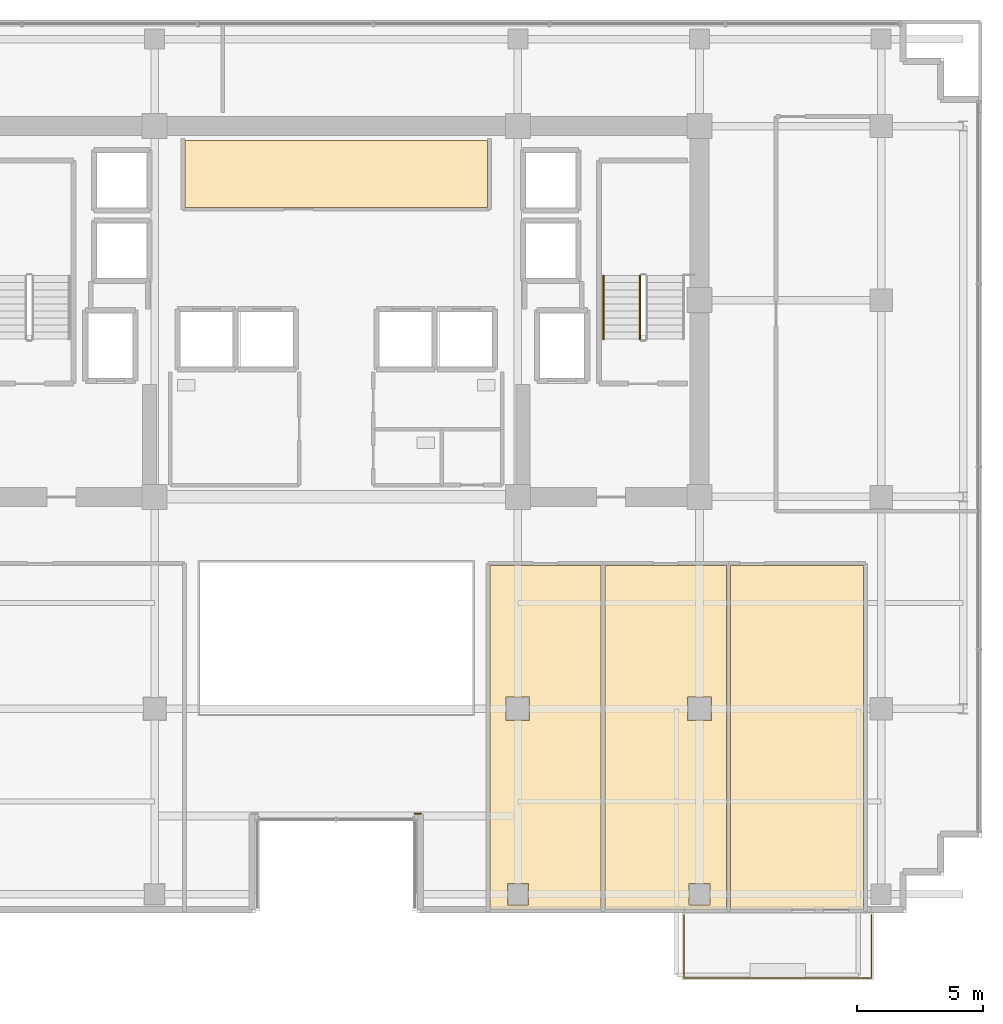
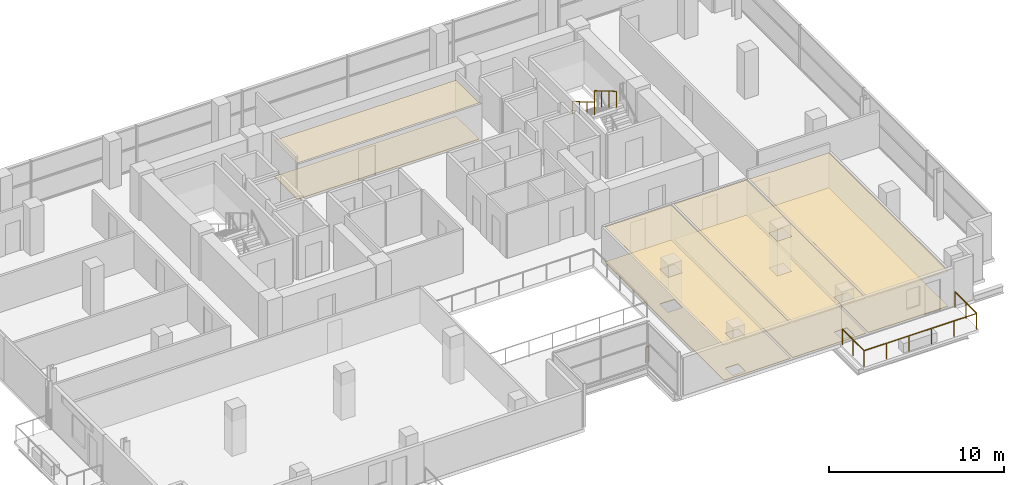
# One storey, part 26 of 28: 8 coverings, 4 railings.
"""IFC4 building model written with IfcOpenShell, lengths in metres."""

from ifc_helpers import new_model, si_unit, direction, frame, origin, origin_2d, place, context, subcontext, project, spatial, polyline, rectangle, outline, extrude, material, layer, layer_set, type_object, element, save


model = new_model("IFC4")

# Units and contexts
model_context = context("Model", 3, precision=1e-05, world=origin(), true_north=direction((0.0, 1.0)))
body_context = subcontext(model_context, "Body", "Model", "MODEL_VIEW")
ifc_project = project(units=[si_unit("LENGTHUNIT", "METRE"), si_unit("AREAUNIT", "SQUARE_METRE"), si_unit("VOLUMEUNIT", "CUBIC_METRE"), si_unit("PLANEANGLEUNIT", "RADIAN"), si_unit("MASSUNIT", "GRAM", prefix="KILO")], contexts=[model_context])

# Site, building, storey
site_placement = place(None, origin())
site = spatial("IfcSite", under=ifc_project, at=site_placement, CompositionType="ELEMENT")
building_placement = place(site_placement, origin())
building = spatial("IfcBuilding", under=site, at=building_placement, Name="Zarnakvel Exchange Tower", CompositionType="ELEMENT")
storey_placement = place(building_placement, frame((0.0, 0.0, 109.89990234375)))
storey = spatial("IfcBuildingStorey", under=building, at=storey_placement, Name="L30", CompositionType="ELEMENT", Elevation=109.89990234375)

# Coverings
ifc_material_1 = material(Name="Perforated Bronze Acoustic Metal Ceiling", Category="aluminium")
ifc_layer_1 = layer(ifc_material_1, 0.02001953125)
ifc_layer_set_1 = layer_set([ifc_layer_1], Name="Perforated Bronze Acoustic Metal Ceiling")
covering_type_1 = type_object("IfcCoveringType", Name="CLG-01", PredefinedType="CEILING", material=ifc_layer_set_1)
covering_1_placement = place(storey_placement, frame((0.0, 0.0, 2.530029296875)))
element("IfcCovering", 1, at=covering_1_placement, inside=storey, type_object=covering_type_1, Name="L30 Suspended Acoustic Ceiling (Market Data Archive Suite)", PredefinedType="CEILING", context=body_context, shape_type="SweptSolid", body=[
    extrude(outline(polyline([(-6.0, 12.919921875), (6.0, 12.919921875), (6.0, 10.280029296875), (-6.0, 10.280029296875), (-6.0, 12.919921875)])), origin(), (0.0, 0.0, 1.0), 0.02001953125),
])
covering_2_placement = place(storey_placement, frame((0.0, 0.0, 2.455078125)))
element("IfcCovering", 2, at=covering_2_placement, inside=storey, type_object=covering_type_1, Name="L30 Suspended Acoustic Ceiling (Conference Room)", PredefinedType="CEILING", context=body_context, shape_type="SweptSolid", body=[
    extrude(outline(polyline([(6.10009765625, -3.909912109375), (10.48828125, -3.909912109375), (10.48828125, -17.550048828125), (6.10009765625, -17.550048828125), (6.10009765625, -3.909912109375)]), holes=[polyline([(6.72998046875, -10.070068359375), (7.669921875, -10.070068359375), (7.669921875, -9.1298828125), (6.72998046875, -9.1298828125), (6.72998046875, -10.070068359375)]), polyline([(7.6201171875, -17.3701171875), (7.6201171875, -16.530029296875), (6.780029296875, -16.530029296875), (6.780029296875, -17.3701171875), (7.6201171875, -17.3701171875)])]), origin(), (0.0, 0.0, 1.0), 0.02001953125),
])
covering_3_placement = place(storey_placement, frame((0.0, 0.0, 2.455078125)))
element("IfcCovering", 3, at=covering_3_placement, inside=storey, type_object=covering_type_1, Name="L30 Suspended Acoustic Ceiling (Executive Suite)", PredefinedType="CEILING", context=body_context, shape_type="SweptSolid", body=[
    extrude(outline(polyline([(10.6484375, -3.909912109375), (15.4755859375, -3.909912109375), (15.4755859375, -17.550048828125), (10.6484375, -17.550048828125), (10.6484375, -3.909912109375)]), holes=[polyline([(13.929931640625, -10.070068359375), (14.8701171875, -10.070068359375), (14.8701171875, -9.1298828125), (13.929931640625, -9.1298828125), (13.929931640625, -10.070068359375)]), polyline([(14.820068359375, -17.3701171875), (14.820068359375, -16.530029296875), (13.97998046875, -16.530029296875), (13.97998046875, -17.3701171875), (14.820068359375, -17.3701171875)])]), origin(), (0.0, 0.0, 1.0), 0.02001953125),
])
covering_4_placement = place(storey_placement, frame((0.0, 0.0, 2.455078125)))
element("IfcCovering", 4, at=covering_4_placement, inside=storey, type_object=covering_type_1, Name="L30 Suspended Acoustic Ceiling (Staff Pantry)", PredefinedType="CEILING", context=body_context, shape_type="SweptSolid", body=[
    extrude(outline(polyline([(15.635498046875, -3.909912109375), (20.901611328125, -3.909912109375), (20.901611328125, -17.550048828125), (15.635498046875, -17.550048828125), (15.635498046875, -3.909912109375)])), origin(), (0.0, 0.0, 1.0), 0.02001953125),
])
ifc_material_2 = material(Name="Heavy-Duty Raised Access Floor Panel", Category="steel")
ifc_layer_2 = layer(ifc_material_2, 0.034912109375)
ifc_layer_set_2 = layer_set([ifc_layer_2], Name="Heavy-Duty Raised Access Floor Panel")
covering_type_2 = type_object("IfcCoveringType", Name="FLR-02", PredefinedType="FLOORING", material=ifc_layer_set_2)
covering_5_placement = place(storey_placement, origin())
element("IfcCovering", 5, at=covering_5_placement, inside=storey, type_object=covering_type_2, Name="L30 Floor Finish (Market Data Archive Suite)", PredefinedType="FLOORING", context=body_context, shape_type="SweptSolid", body=[
    extrude(outline(polyline([(-6.0, 12.919921875), (6.0, 12.919921875), (6.0, 10.280029296875), (-6.0, 10.280029296875), (-6.0, 12.919921875)])), origin(), (0.0, 0.0, 1.0), 0.03515625),
])
covering_6_placement = place(storey_placement, origin())
element("IfcCovering", 6, at=covering_6_placement, inside=storey, type_object=covering_type_2, Name="L30 Floor Finish (Conference Room)", PredefinedType="FLOORING", context=body_context, shape_type="SweptSolid", body=[
    extrude(outline(polyline([(6.10009765625, -3.909912109375), (10.48828125, -3.909912109375), (10.48828125, -17.550048828125), (6.10009765625, -17.550048828125), (6.10009765625, -3.909912109375)]), holes=[polyline([(6.72998046875, -10.070068359375), (7.669921875, -10.070068359375), (7.669921875, -9.1298828125), (6.72998046875, -9.1298828125), (6.72998046875, -10.070068359375)]), polyline([(7.6201171875, -17.3701171875), (7.6201171875, -16.530029296875), (6.780029296875, -16.530029296875), (6.780029296875, -17.3701171875), (7.6201171875, -17.3701171875)])]), origin(), (0.0, 0.0, 1.0), 0.03515625),
])
covering_7_placement = place(storey_placement, origin())
element("IfcCovering", 7, at=covering_7_placement, inside=storey, type_object=covering_type_2, Name="L30 Floor Finish (Executive Suite)", PredefinedType="FLOORING", context=body_context, shape_type="SweptSolid", body=[
    extrude(outline(polyline([(10.6484375, -3.909912109375), (15.4755859375, -3.909912109375), (15.4755859375, -17.550048828125), (10.6484375, -17.550048828125), (10.6484375, -3.909912109375)]), holes=[polyline([(13.929931640625, -10.070068359375), (14.8701171875, -10.070068359375), (14.8701171875, -9.1298828125), (13.929931640625, -9.1298828125), (13.929931640625, -10.070068359375)]), polyline([(14.820068359375, -17.3701171875), (14.820068359375, -16.530029296875), (13.97998046875, -16.530029296875), (13.97998046875, -17.3701171875), (14.820068359375, -17.3701171875)])]), origin(), (0.0, 0.0, 1.0), 0.03515625),
])
covering_8_placement = place(storey_placement, origin())
element("IfcCovering", 8, at=covering_8_placement, inside=storey, type_object=covering_type_2, Name="L30 Floor Finish (Staff Pantry)", PredefinedType="FLOORING", context=body_context, shape_type="SweptSolid", body=[
    extrude(outline(polyline([(15.635498046875, -3.909912109375), (20.901611328125, -3.909912109375), (20.901611328125, -17.550048828125), (15.635498046875, -17.550048828125), (15.635498046875, -3.909912109375)])), origin(), (0.0, 0.0, 1.0), 0.03515625),
])

# Railings
ifc_material_3 = material(Name="Architectural Bronze Anodised Aluminium", Category="aluminium")
railing_type_1 = type_object("IfcRailingType", Name="GR-02", PredefinedType="GUARDRAIL", material=ifc_material_3)
railing_1_placement = place(storey_placement, frame((13.780029296875, -17.780029296875, -0.034912109375)))
element("IfcRailing", 9, at=railing_1_placement, inside=storey, type_object=railing_type_1, Name="L30 Balcony Guardrail BAL-L30-SE", PredefinedType="GUARDRAIL", context=body_context, shape_type="SweptSolid", body=[
    extrude(rectangle(XDim=0.048095703125, YDim=0.048095703125, at=origin_2d()), frame((0.0, 0.0, 1.09619140625), z_axis=(0.0, -1.0, 0.0), x_axis=(1.0, 0.0, 0.0)), (0.0, 0.0, 1.0), 2.489990234375),
    extrude(rectangle(XDim=0.048095703125, YDim=0.048095703125, at=origin_2d()), frame((0.0, -2.489990234375, 1.09619140625), z_axis=(1.0, 0.0, 0.0), x_axis=(0.0, 1.0, 0.0)), (0.0, 0.0, 1.0), 7.43994140625),
    extrude(rectangle(XDim=0.048095703125, YDim=0.048095703125, at=origin_2d()), frame((7.43994140625, -2.489990234375, 1.09619140625), z_axis=(0.0, 1.0, 0.0), x_axis=(-1.0, 0.0, 0.0)), (0.0, 0.0, 1.0), 2.489990234375),
    extrude(rectangle(XDim=0.0419921875, YDim=0.0419921875, at=origin_2d()), origin(), (0.0, 0.0, 1.0), 1.072021484375),
    extrude(rectangle(XDim=0.0419921875, YDim=0.0419921875, at=origin_2d()), frame((0.0, -1.2451171875, 0.0)), (0.0, 0.0, 1.0), 1.072021484375),
    extrude(rectangle(XDim=0.0419921875, YDim=0.0419921875, at=origin_2d()), frame((0.0, -2.489990234375, 0.0)), (0.0, 0.0, 1.0), 1.072021484375),
    extrude(rectangle(XDim=0.0419921875, YDim=0.0419921875, at=origin_2d()), frame((1.488037109375, -2.489990234375, 0.0)), (0.0, 0.0, 1.0), 1.072021484375),
    extrude(rectangle(XDim=0.0419921875, YDim=0.0419921875, at=origin_2d()), frame((2.97607421875, -2.489990234375, 0.0)), (0.0, 0.0, 1.0), 1.072021484375),
    extrude(rectangle(XDim=0.0419921875, YDim=0.0419921875, at=origin_2d()), frame((4.4638671875, -2.489990234375, 0.0)), (0.0, 0.0, 1.0), 1.072021484375),
    extrude(rectangle(XDim=0.0419921875, YDim=0.0419921875, at=origin_2d()), frame((5.951904296875, -2.489990234375, 0.0)), (0.0, 0.0, 1.0), 1.072021484375),
    extrude(rectangle(XDim=0.0419921875, YDim=0.0419921875, at=origin_2d()), frame((7.43994140625, -2.489990234375, 0.0)), (0.0, 0.0, 1.0), 1.072021484375),
    extrude(rectangle(XDim=0.0419921875, YDim=0.0419921875, at=origin_2d()), frame((7.43994140625, -1.2451171875, 0.0)), (0.0, 0.0, 1.0), 1.072021484375),
    extrude(rectangle(XDim=0.0419921875, YDim=0.0419921875, at=origin_2d()), frame((7.43994140625, 0.0, 0.0)), (0.0, 0.0, 1.0), 1.072021484375),
])
railing_2_placement = place(storey_placement, frame((3.340087890625, -13.760009765625, 0.0)))
element("IfcRailing", 10, at=railing_2_placement, inside=storey, type_object=railing_type_1, Name="L30 Corner Spandrel Balustrade #18", PredefinedType="GUARDRAIL", context=body_context, shape_type="SweptSolid", body=[
    extrude(rectangle(XDim=0.048095703125, YDim=0.048095703125, at=origin_2d()), frame((0.0, 0.0, 1.09619140625), z_axis=(-1.0, 0.0, 0.0), x_axis=(0.0, -1.0, 0.0)), (0.0, 0.0, 1.0), 0.219970703125),
    extrude(rectangle(XDim=0.0419921875, YDim=0.0419921875, at=origin_2d()), origin(), (0.0, 0.0, 1.0), 1.072021484375),
    extrude(rectangle(XDim=0.0419921875, YDim=0.0419921875, at=origin_2d()), frame((-0.219970703125, 0.0, 0.0)), (0.0, 0.0, 1.0), 1.072021484375),
])
ifc_material_4 = material(Name="Brushed Stainless Steel", Category="steel")
railing_type_2 = type_object("IfcRailingType", Name="HR-01", PredefinedType="HANDRAIL", material=ifc_material_4)
railing_3_placement = place(storey_placement, frame((10.590087890625, 7.570068359375, 1.815185546875)))
element("IfcRailing", 11, at=railing_3_placement, inside=storey, type_object=railing_type_2, Name="L30 ST-02 stair handrail 2", PredefinedType="HANDRAIL", context=body_context, shape_type="SweptSolid", body=[
    extrude(rectangle(XDim=0.048095703125, YDim=0.048095703125, at=origin_2d()), frame((0.0, 0.0, 0.8759765625), z_axis=(0.0, -0.861560626758, 0.507654692109), x_axis=(1.0, 0.0, 0.0)), (0.0, 0.0, 1.0), 2.925048828125),
    extrude(rectangle(XDim=0.0419921875, YDim=0.0419921875, at=origin_2d()), origin(), (0.0, 0.0, 1.0), 0.851806640625),
    extrude(rectangle(XDim=0.0419921875, YDim=0.0419921875, at=origin_2d()), frame((0.0, -0.840087890625, 0.494873046875)), (0.0, 0.0, 1.0), 0.851806640625),
    extrude(rectangle(XDim=0.0419921875, YDim=0.0419921875, at=origin_2d()), frame((0.0, -1.679931640625, 0.989990234375)), (0.0, 0.0, 1.0), 0.851806640625),
    extrude(rectangle(XDim=0.0419921875, YDim=0.0419921875, at=origin_2d()), frame((0.0, -2.52001953125, 1.48486328125)), (0.0, 0.0, 1.0), 0.851806640625),
])
railing_type_3 = type_object("IfcRailingType", Name="SG-01", PredefinedType="GUARDRAIL", material=ifc_material_3)
railing_4_placement = place(storey_placement, frame((12.0400390625, 7.570068359375, 1.815185546875)))
element("IfcRailing", 12, at=railing_4_placement, inside=storey, type_object=railing_type_3, Name="L30 ST-02 stair guard 3", PredefinedType="GUARDRAIL", context=body_context, shape_type="SweptSolid", body=[
    extrude(rectangle(XDim=0.048095703125, YDim=0.048095703125, at=origin_2d()), frame((0.0, 0.0, 1.1259765625), z_axis=(0.0, -0.861560626758, 0.507654692109), x_axis=(1.0, 0.0, 0.0)), (0.0, 0.0, 1.0), 2.925048828125),
    extrude(rectangle(XDim=0.0419921875, YDim=0.0419921875, at=origin_2d()), origin(), (0.0, 0.0, 1.0), 1.101806640625),
    extrude(rectangle(XDim=0.0419921875, YDim=0.0419921875, at=origin_2d()), frame((0.0, -0.840087890625, 0.494873046875)), (0.0, 0.0, 1.0), 1.101806640625),
    extrude(rectangle(XDim=0.0419921875, YDim=0.0419921875, at=origin_2d()), frame((0.0, -1.679931640625, 0.989990234375)), (0.0, 0.0, 1.0), 1.101806640625),
    extrude(rectangle(XDim=0.0419921875, YDim=0.0419921875, at=origin_2d()), frame((0.0, -2.52001953125, 1.48486328125)), (0.0, 0.0, 1.0), 1.101806640625),
])

save(model, "model.ifc")
